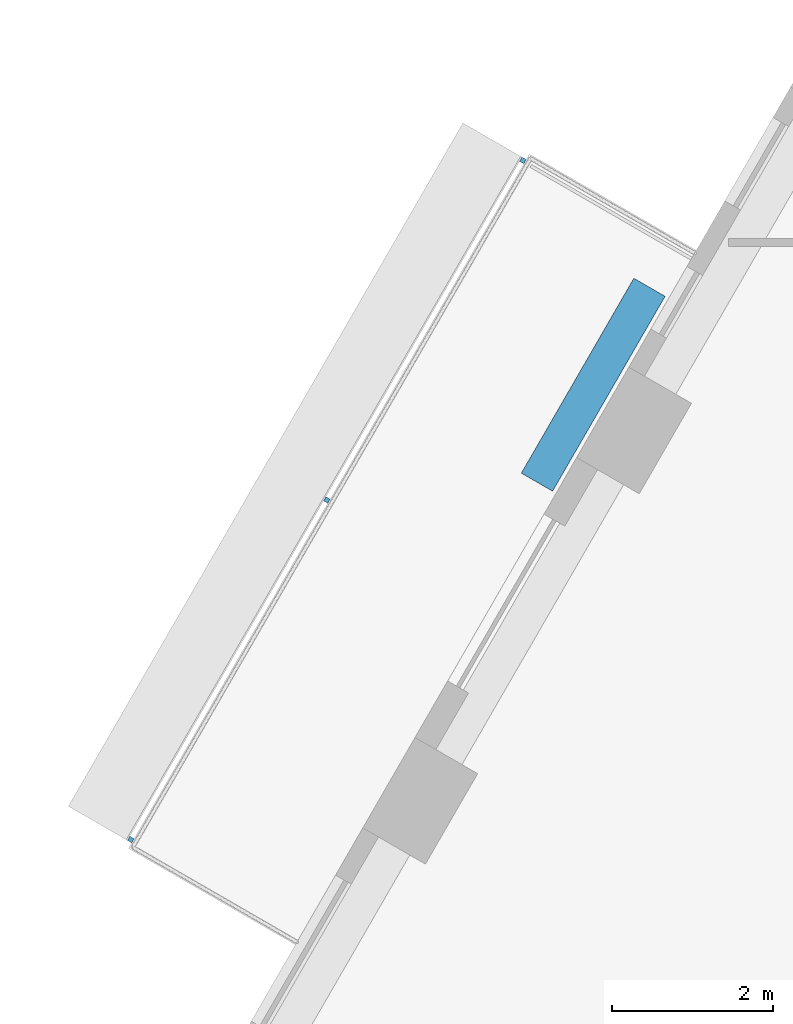
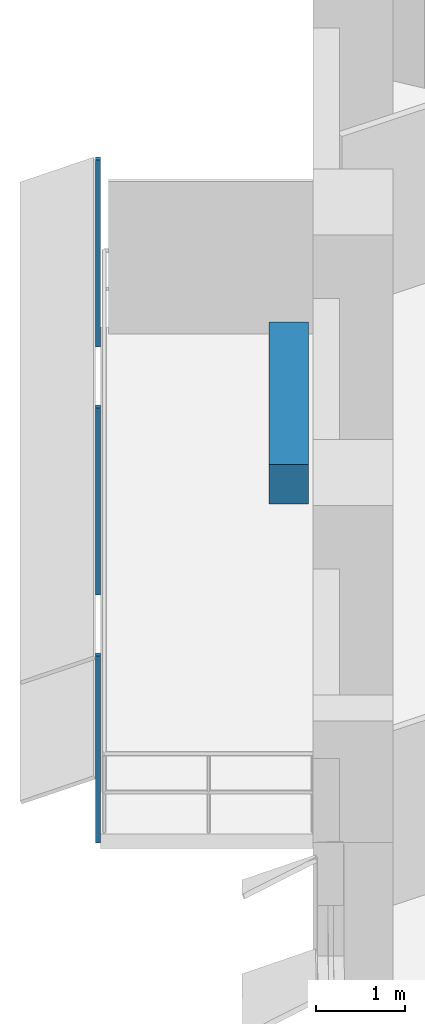
# One storey, part 10 of 13: 4 discrete accessories.
"""IFC4 building model written with IfcOpenShell, lengths in metres."""

from ifc_helpers import new_model, si_unit, direction, frame, origin, origin_2d, place, context, subcontext, project, spatial, rectangle, extrude, material, type_object, element, save


model = new_model("IFC4")

# Units and contexts
model_context = context("Model", 3, precision=1e-05, world=origin(), true_north=direction((0.0, 1.0)))
body_context = subcontext(model_context, "Body", "Model", "MODEL_VIEW")
ifc_project = project(units=[si_unit("LENGTHUNIT", "METRE"), si_unit("AREAUNIT", "SQUARE_METRE"), si_unit("VOLUMEUNIT", "CUBIC_METRE"), si_unit("PLANEANGLEUNIT", "RADIAN"), si_unit("MASSUNIT", "GRAM", prefix="KILO")], contexts=[model_context])

# Site, building, storey
site_placement = place(None, origin())
site = spatial("IfcSite", under=ifc_project, at=site_placement, CompositionType="ELEMENT")
building_placement = place(site_placement, origin())
building = spatial("IfcBuilding", under=site, at=building_placement, Name="Nakaniwa Court", CompositionType="ELEMENT")
storey_placement = place(building_placement, frame((0.0, 0.0, 140.39990234375)))
storey = spatial("IfcBuildingStorey", under=building, at=storey_placement, Name="L36", CompositionType="ELEMENT", Elevation=140.39990234375)

# Discrete accessories
ifc_material_1 = material(Name="Black powder-coated steel bracket S275", Category="steel")
discrete_accessory_type_1 = type_object("IfcDiscreteAccessoryType", Name="Black metal louvre bracket", PredefinedType="BRACKET", material=ifc_material_1)
for number, where, z_axis, x_axis, name in (
    (1, (60.970458984375, 99.899658203125, -0.229736328125), (0.0, 0.0, 1.0), (-0.500004534492, -0.866022785779, 0.0), "L36 louvre bracket 01 1"),
    (2, (58.52880859375, 95.6708984375, -0.229736328125), (0.0, 0.0, 1.0), (-0.500004534492, -0.866022785779, 0.0), "L36 louvre bracket 01 2"),
    (3, (56.08740234375, 91.442138671875, -0.229736328125), (0.0, 0.0, 1.0), (-0.500004534492, -0.866022785779, 0.0), "L36 louvre bracket 01 3"),
):
    element("IfcDiscreteAccessory", number, at=place(storey_placement, frame(where, z_axis=z_axis, x_axis=x_axis)), inside=storey, type_object=discrete_accessory_type_1, Name=name, PredefinedType="BRACKET", context=body_context, shape_type="SweptSolid", body=[
        extrude(rectangle(XDim=0.06005859375, YDim=0.06005859375, at=origin_2d()), origin(), (0.0, 0.0, 1.0), 2.5751953125),
    ])
ifc_material_2 = material(Name="Precast concrete C40/50 planter with planted soil", Category="concrete")
discrete_accessory_type_2 = type_object("IfcDiscreteAccessoryType", Name="Planter box charcoal concrete", PredefinedType="USERDEFINED", material=ifc_material_2)
discrete_accessory_placement = place(storey_placement, frame((61.845947265625, 97.106201171875, -0.0498046875), z_axis=(0.0, 0.0, 1.0), x_axis=(-0.500004534492, -0.866022785779, 0.0)))
element("IfcDiscreteAccessory", 4, at=discrete_accessory_placement, inside=storey, type_object=discrete_accessory_type_2, Name="L36 balcony PLANTER 01", ObjectType="PLANTER", PredefinedType="USERDEFINED", context=body_context, shape_type="SweptSolid", body=[
    extrude(rectangle(XDim=2.802978515625, YDim=0.449951171875, at=origin_2d()), origin(), (0.0, 0.0, 1.0), 0.550048828125),
])

save(model, "model.ifc")
